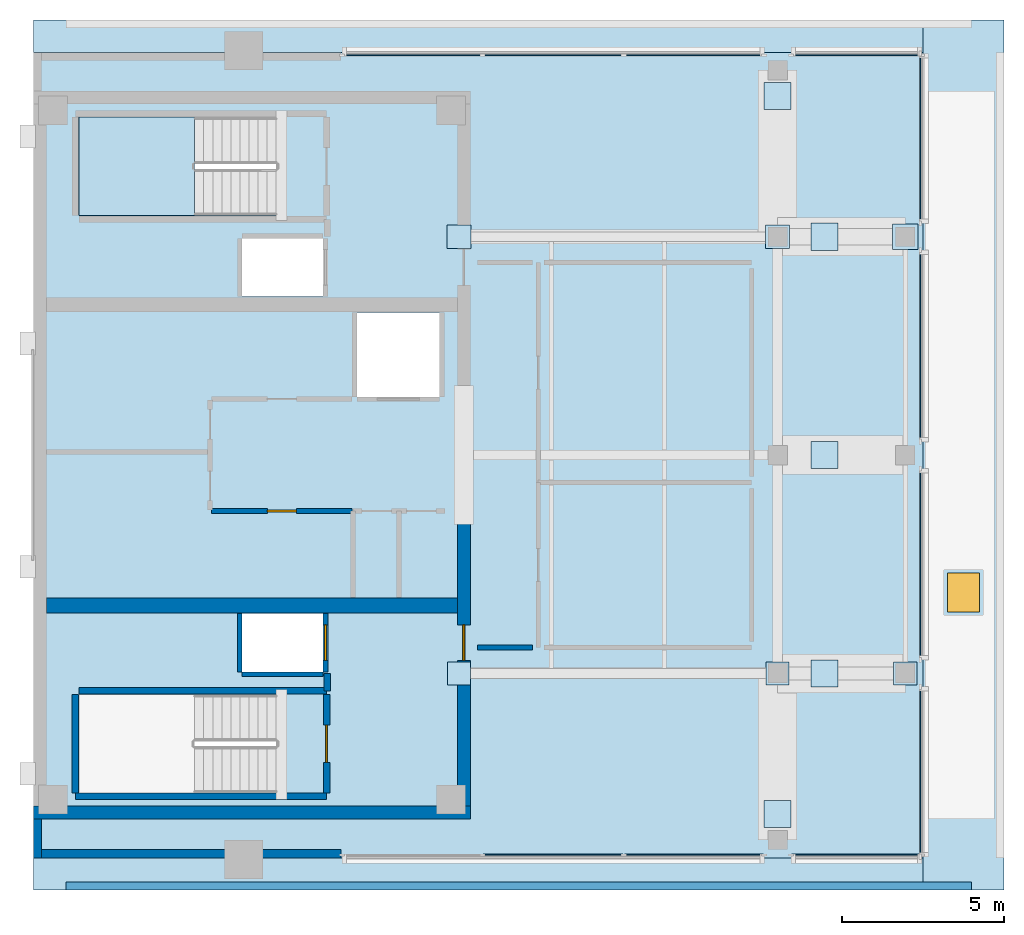
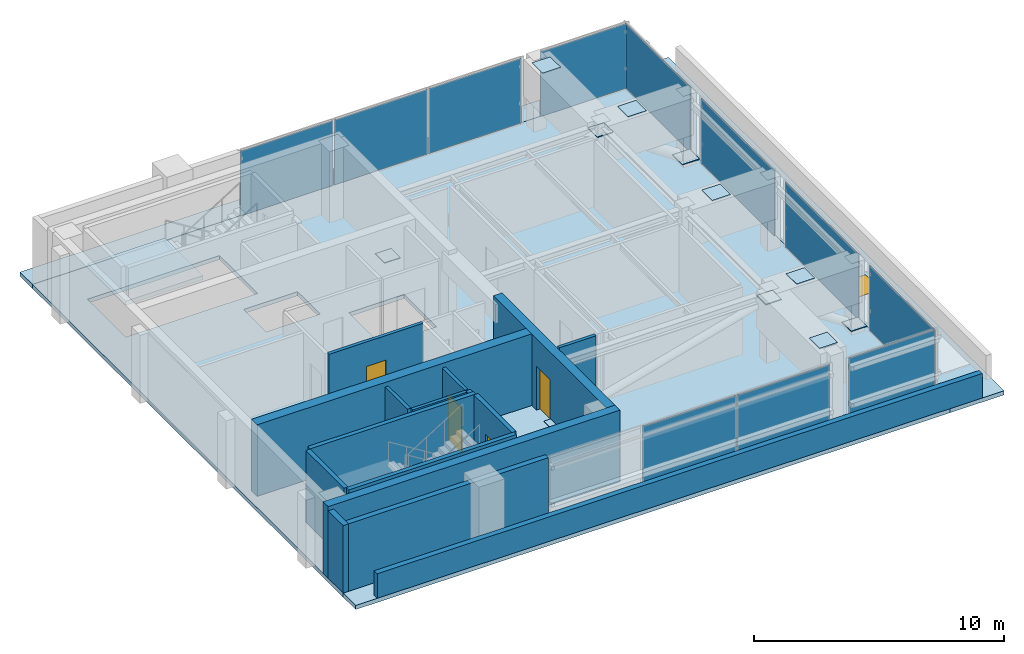
# One storey, part 4 of 9: 22 plates, 16 walls, 5 slabs, 4 doors, 1 window, 5 openings, 9 elements without a shape of their own.
"""IFC4 building model written with IfcOpenShell, lengths in metres."""

from ifc_helpers import new_model, si_unit, direction, frame, frame_2d, origin, origin_2d, place, context, subcontext, project, spatial, polyline, rectangle, outline, extrude, material, layer, layer_set, type_object, element, fill, aggregate, save


model = new_model("IFC4")

# Units and contexts
model_context = context("Model", 3, precision=1e-05, world=origin(), true_north=direction((0.0, 1.0)))
body_context = subcontext(model_context, "Body", "Model", "MODEL_VIEW")
ifc_project = project(units=[si_unit("LENGTHUNIT", "METRE"), si_unit("AREAUNIT", "SQUARE_METRE"), si_unit("VOLUMEUNIT", "CUBIC_METRE"), si_unit("PLANEANGLEUNIT", "RADIAN"), si_unit("MASSUNIT", "GRAM", prefix="KILO")], contexts=[model_context])

# Site, building, storey
site_placement = place(None, origin())
site = spatial("IfcSite", under=ifc_project, at=site_placement, CompositionType="ELEMENT")
building_placement = place(site_placement, origin())
building = spatial("IfcBuilding", under=site, at=building_placement, Name="Kinhvarn Gate Tower", CompositionType="ELEMENT")
storey_placement = place(building_placement, frame((0.0, 0.0, 318.050048828125)))
storey = spatial("IfcBuildingStorey", under=building, at=storey_placement, Name="L84", CompositionType="ELEMENT", Elevation=318.050048828125)

# Curtain wall, plates
ifc_material_1 = material(Name="Anodised aluminium AW-6063", Category="aluminium")
ifc_layer_1 = layer(ifc_material_1, 0.199951171875)
ifc_layer_set_1 = layer_set([ifc_layer_1], Name="Anodised aluminium AW-6063")
curtain_wall_type = type_object("IfcCurtainWallType", Name="CW-SYS-6", PredefinedType="NOTDEFINED", material=ifc_layer_set_1)
curtain_wall_1_placement = place(storey_placement, origin())
curtain_wall_1 = element("IfcCurtainWall", 1, at=curtain_wall_1_placement, inside=storey, type_object=curtain_wall_type, Name="Curtain Wall CW6 (L84)", PredefinedType="NOTDEFINED")
ifc_material_2 = material(Name="Clear low-e double glazing", Category="glass")
ifc_layer_2 = layer(ifc_material_2, 0.031982421875)
ifc_layer_set_2 = layer_set([ifc_layer_2], Name="Clear low-e double glazing")
plate_type_1 = type_object("IfcPlateType", Name="CW-PNL-VIS", PredefinedType="CURTAIN_PANEL", material=ifc_layer_set_2)
plate_1_placement = place(storey_placement, frame((20.56005859375, 12.889892578125, 0.06494140625), z_axis=(0.0, 0.0, 1.0), x_axis=(1.0, 0.0, 0.0)))
plate_1 = element("IfcPlate", 2, at=plate_1_placement, type_object=plate_type_1, Name="CW6 panel 2.1", PredefinedType="CURTAIN_PANEL", context=body_context, shape_type="SweptSolid", body=[
    extrude(rectangle(XDim=4.308349609375, YDim=0.031982421875, at=origin_2d()), origin(), (0.0, 0.0, 1.0), 3.169921875),
])
plate_2_placement = place(storey_placement, frame((24.9169921875, 12.889892578125, 0.06494140625), z_axis=(0.0, 0.0, 1.0), x_axis=(1.0, 0.0, 0.0)))
plate_2 = element("IfcPlate", 3, at=plate_2_placement, type_object=plate_type_1, Name="CW6 panel 3.1", PredefinedType="CURTAIN_PANEL", context=body_context, shape_type="SweptSolid", body=[
    extrude(rectangle(XDim=4.27587890625, YDim=0.031982421875, at=origin_2d()), origin(), (0.0, 0.0, 1.0), 3.169921875),
])
aggregate(curtain_wall_1, [plate_1, plate_2])

# Curtain wall, plate
curtain_wall_2_placement = place(storey_placement, origin())
curtain_wall_2 = element("IfcCurtainWall", 4, at=curtain_wall_2_placement, inside=storey, type_object=curtain_wall_type, Name="Curtain Wall CW6 (L84)", PredefinedType="NOTDEFINED")
plate_3_placement = place(storey_placement, frame((29.93994140625, 12.889892578125, 0.06494140625), z_axis=(0.0, 0.0, 1.0), x_axis=(1.0, 0.0, 0.0)))
plate_3 = element("IfcPlate", 5, at=plate_3_placement, type_object=plate_type_1, Name="CW6 panel 1.1", PredefinedType="CURTAIN_PANEL", context=body_context, shape_type="SweptSolid", body=[
    extrude(rectangle(XDim=3.989990234375, YDim=0.031982421875, at=origin_2d()), origin(), (0.0, 0.0, 1.0), 3.169921875),
])
aggregate(curtain_wall_2, [plate_3])

curtain_wall_3_placement = place(storey_placement, origin())
curtain_wall_3 = element("IfcCurtainWall", 6, at=curtain_wall_3_placement, inside=storey, type_object=curtain_wall_type, Name="Curtain Wall CW6 (L84)", PredefinedType="NOTDEFINED")
plate_4_placement = place(storey_placement, frame((29.93994140625, 37.610107421875, 0.06494140625), z_axis=(0.0, 0.0, 1.0), x_axis=(-1.0, 0.0, 0.0)))
plate_4 = element("IfcPlate", 7, at=plate_4_placement, type_object=plate_type_1, Name="CW6 panel 1.1", PredefinedType="CURTAIN_PANEL", context=body_context, shape_type="SweptSolid", body=[
    extrude(rectangle(XDim=3.989990234375, YDim=0.031982421875, at=origin_2d()), origin(), (0.0, 0.0, 1.0), 3.169921875),
])
aggregate(curtain_wall_3, [plate_4])

# Curtain wall, plates
curtain_wall_4_placement = place(storey_placement, origin())
curtain_wall_4 = element("IfcCurtainWall", 8, at=curtain_wall_4_placement, inside=storey, type_object=curtain_wall_type, Name="Curtain Wall CW6 (L84)", PredefinedType="NOTDEFINED")
plate_5_placement = place(storey_placement, frame((24.9169921875, 37.610107421875, 0.06494140625), z_axis=(0.0, 0.0, 1.0), x_axis=(-1.0, 0.0, 0.0)))
plate_5 = element("IfcPlate", 9, at=plate_5_placement, type_object=plate_type_1, Name="CW6 panel 1.1", PredefinedType="CURTAIN_PANEL", context=body_context, shape_type="SweptSolid", body=[
    extrude(rectangle(XDim=4.27587890625, YDim=0.031982421875, at=origin_2d()), origin(), (0.0, 0.0, 1.0), 3.169921875),
])
plate_6_placement = place(storey_placement, frame((20.56005859375, 37.610107421875, 0.06494140625), z_axis=(0.0, 0.0, 1.0), x_axis=(-1.0, 0.0, 0.0)))
plate_6 = element("IfcPlate", 10, at=plate_6_placement, type_object=plate_type_1, Name="CW6 panel 2.1", PredefinedType="CURTAIN_PANEL", context=body_context, shape_type="SweptSolid", body=[
    extrude(rectangle(XDim=4.308349609375, YDim=0.031982421875, at=origin_2d()), origin(), (0.0, 0.0, 1.0), 3.169921875),
])
plate_7_placement = place(storey_placement, frame((16.202880859375, 37.610107421875, 0.06494140625), z_axis=(0.0, 0.0, 1.0), x_axis=(-1.0, 0.0, 0.0)))
plate_7 = element("IfcPlate", 11, at=plate_7_placement, type_object=plate_type_1, Name="CW6 panel 3.1", PredefinedType="CURTAIN_PANEL", context=body_context, shape_type="SweptSolid", body=[
    extrude(rectangle(XDim=4.27587890625, YDim=0.031982421875, at=origin_2d()), origin(), (0.0, 0.0, 1.0), 3.169921875),
])
aggregate(curtain_wall_4, [plate_5, plate_6, plate_7])

# Curtain wall, plate
curtain_wall_5_placement = place(storey_placement, origin())
curtain_wall_5 = element("IfcCurtainWall", 12, at=curtain_wall_5_placement, inside=storey, type_object=curtain_wall_type, Name="Curtain Wall CW6 (L84)", PredefinedType="NOTDEFINED")
plate_8_placement = place(storey_placement, frame((31.909912109375, 15.4599609375, 0.06494140625), z_axis=(0.0, 0.0, 1.0), x_axis=(0.0, 1.0, 0.0)))
plate_8 = element("IfcPlate", 13, at=plate_8_placement, type_object=plate_type_1, Name="CW6 panel 1.1", PredefinedType="CURTAIN_PANEL", context=body_context, shape_type="SweptSolid", body=[
    extrude(rectangle(XDim=5.18994140625, YDim=0.031982421875, at=origin_2d()), origin(), (0.0, 0.0, 1.0), 3.169921875),
])
aggregate(curtain_wall_5, [plate_8])

curtain_wall_6_placement = place(storey_placement, origin())
curtain_wall_6 = element("IfcCurtainWall", 14, at=curtain_wall_6_placement, inside=storey, type_object=curtain_wall_type, Name="Curtain Wall CW6 (L84)", PredefinedType="NOTDEFINED")
plate_9_placement = place(storey_placement, frame((31.909912109375, 21.875, 0.06494140625), z_axis=(0.0, 0.0, 1.0), x_axis=(0.0, 1.0, 0.0)))
plate_9 = element("IfcPlate", 15, at=plate_9_placement, type_object=plate_type_1, Name="CW6 panel 1.1", PredefinedType="CURTAIN_PANEL", context=body_context, shape_type="SweptSolid", body=[
    extrude(rectangle(XDim=5.860107421875, YDim=0.031982421875, at=origin_2d()), origin(), (0.0, 0.0, 1.0), 3.169921875),
])
aggregate(curtain_wall_6, [plate_9])

curtain_wall_7_placement = place(storey_placement, origin())
curtain_wall_7 = element("IfcCurtainWall", 16, at=curtain_wall_7_placement, inside=storey, type_object=curtain_wall_type, Name="Curtain Wall CW6 (L84)", PredefinedType="NOTDEFINED")
plate_10_placement = place(storey_placement, frame((31.909912109375, 28.625, 0.06494140625), z_axis=(0.0, 0.0, 1.0), x_axis=(0.0, 1.0, 0.0)))
plate_10 = element("IfcPlate", 17, at=plate_10_placement, type_object=plate_type_1, Name="CW6 panel 1.1", PredefinedType="CURTAIN_PANEL", context=body_context, shape_type="SweptSolid", body=[
    extrude(rectangle(XDim=5.860107421875, YDim=0.031982421875, at=origin_2d()), origin(), (0.0, 0.0, 1.0), 3.169921875),
])
aggregate(curtain_wall_7, [plate_10])

curtain_wall_8_placement = place(storey_placement, origin())
curtain_wall_8 = element("IfcCurtainWall", 18, at=curtain_wall_8_placement, inside=storey, type_object=curtain_wall_type, Name="Curtain Wall CW6 (L84)", PredefinedType="NOTDEFINED")
plate_11_placement = place(storey_placement, frame((31.909912109375, 35.0400390625, 0.06494140625), z_axis=(0.0, 0.0, 1.0), x_axis=(0.0, 1.0, 0.0)))
plate_11 = element("IfcPlate", 19, at=plate_11_placement, type_object=plate_type_1, Name="CW6 panel 1.1", PredefinedType="CURTAIN_PANEL", context=body_context, shape_type="SweptSolid", body=[
    extrude(rectangle(XDim=5.18994140625, YDim=0.031982421875, at=origin_2d()), origin(), (0.0, 0.0, 1.0), 3.169921875),
])
aggregate(curtain_wall_8, [plate_11])

# Plates
ifc_material_3 = material(Name="Steel S355", Category="steel")
ifc_layer_3 = layer(ifc_material_3, 0.02392578125)
ifc_layer_set_3 = layer_set([ifc_layer_3], Name="Steel S355")
plate_type_2 = type_object("IfcPlateType", Name="PLT-NODE-CB1", PredefinedType="USERDEFINED", material=ifc_layer_set_3)
plate_12_placement = place(storey_placement, frame((0.0, 0.0, 3.47802734375)))
element("IfcPlate", 20, at=plate_12_placement, inside=storey, type_object=plate_type_2, Name="Structural Node Cap Plate CB1", ObjectType="GUSSET_PLATE", PredefinedType="USERDEFINED", context=body_context, shape_type="SweptSolid", body=[
    extrude(outline(polyline([(28.530029296875, 18.080078125), (29.3701171875, 18.080078125), (29.3701171875, 18.919921875), (28.530029296875, 18.919921875), (28.530029296875, 18.080078125)])), origin(), (0.0, 0.0, 1.0), 0.02392578125),
])
plate_13_placement = place(storey_placement, frame((0.0, 0.0, 3.47802734375)))
element("IfcPlate", 21, at=plate_13_placement, inside=storey, type_object=plate_type_2, Name="Structural Node Cap Plate CB1", ObjectType="GUSSET_PLATE", PredefinedType="USERDEFINED", context=body_context, shape_type="SweptSolid", body=[
    extrude(outline(polyline([(28.530029296875, 24.830078125), (29.3701171875, 24.830078125), (29.3701171875, 25.669921875), (28.530029296875, 25.669921875), (28.530029296875, 24.830078125)])), origin(), (0.0, 0.0, 1.0), 0.02392578125),
])
plate_14_placement = place(storey_placement, frame((0.0, 0.0, 3.47802734375)))
element("IfcPlate", 22, at=plate_14_placement, inside=storey, type_object=plate_type_2, Name="Structural Node Cap Plate CB1", ObjectType="GUSSET_PLATE", PredefinedType="USERDEFINED", context=body_context, shape_type="SweptSolid", body=[
    extrude(outline(polyline([(28.530029296875, 31.580078125), (29.3701171875, 31.580078125), (29.3701171875, 32.419921875), (28.530029296875, 32.419921875), (28.530029296875, 31.580078125)])), origin(), (0.0, 0.0, 1.0), 0.02392578125),
])
plate_15_placement = place(storey_placement, frame((0.0, 0.0, 3.47802734375)))
element("IfcPlate", 23, at=plate_15_placement, inside=storey, type_object=plate_type_2, Name="Structural Node Cap Plate CB1", ObjectType="GUSSET_PLATE", PredefinedType="USERDEFINED", context=body_context, shape_type="SweptSolid", body=[
    extrude(outline(polyline([(27.080078125, 13.72998046875), (27.919921875, 13.72998046875), (27.919921875, 14.570068359375), (27.080078125, 14.570068359375), (27.080078125, 13.72998046875)])), origin(), (0.0, 0.0, 1.0), 0.02392578125),
])
plate_16_placement = place(storey_placement, frame((0.0, 0.0, 3.47802734375)))
element("IfcPlate", 24, at=plate_16_placement, inside=storey, type_object=plate_type_2, Name="Structural Node Cap Plate CB1", ObjectType="GUSSET_PLATE", PredefinedType="USERDEFINED", context=body_context, shape_type="SweptSolid", body=[
    extrude(outline(polyline([(27.080078125, 35.929931640625), (27.919921875, 35.929931640625), (27.919921875, 36.77001953125), (27.080078125, 36.77001953125), (27.080078125, 35.929931640625)])), origin(), (0.0, 0.0, 1.0), 0.02392578125),
])
plate_17_placement = place(storey_placement, frame((0.0, 0.0, 0.238037109375)))
element("IfcPlate", 25, at=plate_17_placement, inside=storey, type_object=plate_type_2, Name="Structural Node Cap Plate CB1", ObjectType="GUSSET_PLATE", PredefinedType="USERDEFINED", context=body_context, shape_type="SweptSolid", body=[
    extrude(outline(polyline([(17.2900390625, 18.139892578125), (18.010009765625, 18.139892578125), (18.010009765625, 18.860107421875), (17.2900390625, 18.860107421875), (17.2900390625, 18.139892578125)])), origin(), (0.0, 0.0, 1.0), 0.02392578125),
])
plate_18_placement = place(storey_placement, frame((0.0, 0.0, 0.238037109375)))
element("IfcPlate", 26, at=plate_18_placement, inside=storey, type_object=plate_type_2, Name="Structural Node Cap Plate CB1", ObjectType="GUSSET_PLATE", PredefinedType="USERDEFINED", context=body_context, shape_type="SweptSolid", body=[
    extrude(outline(polyline([(17.281494140625, 31.631591796875), (18.0185546875, 31.631591796875), (18.0185546875, 32.368408203125), (17.281494140625, 32.368408203125), (17.281494140625, 31.631591796875)])), origin(), (0.0, 0.0, 1.0), 0.02392578125),
])
ifc_layer_4 = layer(ifc_material_3, 0.033935546875)
ifc_layer_set_4 = layer_set([ifc_layer_4], Name="Steel S355")
plate_type_3 = type_object("IfcPlateType", Name="PLT-NODE-KN4", PredefinedType="USERDEFINED", material=ifc_layer_set_4)
plate_19_placement = place(storey_placement, frame((0.0, 0.0, 2.932861328125)))
element("IfcPlate", 27, at=plate_19_placement, inside=storey, type_object=plate_type_3, Name="Structural Node Cap Plate KN4", ObjectType="GUSSET_PLATE", PredefinedType="USERDEFINED", context=body_context, shape_type="SweptSolid", body=[
    extrude(outline(polyline([(27.139892578125, 18.139892578125), (27.860107421875, 18.139892578125), (27.860107421875, 18.860107421875), (27.139892578125, 18.860107421875), (27.139892578125, 18.139892578125)])), origin(), (0.0, 0.0, 1.0), 0.0341796875),
])
plate_20_placement = place(storey_placement, frame((0.0, 0.0, 0.23291015625)))
element("IfcPlate", 28, at=plate_20_placement, inside=storey, type_object=plate_type_3, Name="Structural Node Cap Plate KN4", ObjectType="GUSSET_PLATE", PredefinedType="USERDEFINED", context=body_context, shape_type="SweptSolid", body=[
    extrude(outline(polyline([(31.090087890625, 18.139892578125), (31.81005859375, 18.139892578125), (31.81005859375, 18.860107421875), (31.090087890625, 18.860107421875), (31.090087890625, 18.139892578125)])), origin(), (0.0, 0.0, 1.0), 0.033935546875),
])
plate_21_placement = place(storey_placement, frame((0.0, 0.0, 2.932861328125)))
element("IfcPlate", 29, at=plate_21_placement, inside=storey, type_object=plate_type_3, Name="Structural Node Cap Plate KN4", ObjectType="GUSSET_PLATE", PredefinedType="USERDEFINED", context=body_context, shape_type="SweptSolid", body=[
    extrude(outline(polyline([(27.131591796875, 31.631591796875), (27.868408203125, 31.631591796875), (27.868408203125, 32.368408203125), (27.131591796875, 32.368408203125), (27.131591796875, 31.631591796875)])), origin(), (0.0, 0.0, 1.0), 0.0341796875),
])
plate_22_placement = place(storey_placement, frame((0.0, 0.0, 0.23291015625)))
element("IfcPlate", 30, at=plate_22_placement, inside=storey, type_object=plate_type_3, Name="Structural Node Cap Plate KN4", ObjectType="GUSSET_PLATE", PredefinedType="USERDEFINED", context=body_context, shape_type="SweptSolid", body=[
    extrude(outline(polyline([(31.055908203125, 31.60595703125), (31.843994140625, 31.60595703125), (31.843994140625, 32.39404296875), (31.055908203125, 32.39404296875), (31.055908203125, 31.60595703125)])), origin(), (0.0, 0.0, 1.0), 0.033935546875),
])

# Slab
ifc_material_4 = material(Name="Concrete C40/50", Category="concrete")
ifc_layer_5 = layer(ifc_material_4, 0.199951171875)
ifc_layer_set_5 = layer_set([ifc_layer_5], Name="Concrete C40/50")
slab_type_1 = type_object("IfcSlabType", Name="SLB-FLR-200", PredefinedType="FLOOR", material=ifc_layer_set_5)
slab_1_placement = place(storey_placement, frame((0.0, 0.0, -0.199951171875)))
element("IfcSlab", 31, at=slab_1_placement, inside=storey, type_object=slab_type_1, Name="Suspended Floor Slab L84", PredefinedType="FLOOR", context=body_context, shape_type="SweptSolid", body=[
    extrude(outline(polyline([(4.5, 12.800048828125), (32.0, 12.800048828125), (32.0, 37.699951171875), (4.5, 37.699951171875), (4.5, 12.800048828125)]), holes=[polyline([(5.89990234375, 14.800048828125), (12.0, 14.800048828125), (12.0, 17.85009765625), (5.89990234375, 17.85009765625), (5.89990234375, 14.800048828125)]), polyline([(5.89990234375, 32.64990234375), (12.0, 32.64990234375), (12.0, 35.699951171875), (5.89990234375, 35.699951171875), (5.89990234375, 32.64990234375)]), polyline([(14.5, 27.050048828125), (17.050048828125, 27.050048828125), (17.050048828125, 29.64990234375), (14.5, 29.64990234375), (14.5, 27.050048828125)]), polyline([(10.949951171875, 18.550048828125), (13.449951171875, 18.550048828125), (13.449951171875, 20.35009765625), (10.949951171875, 20.35009765625), (10.949951171875, 18.550048828125)]), polyline([(10.949951171875, 30.14990234375), (13.449951171875, 30.14990234375), (13.449951171875, 31.949951171875), (10.949951171875, 31.949951171875), (10.949951171875, 30.14990234375)])]), origin(), (0.0, 0.0, 1.0), 0.199951171875),
])

# Slab, opening, window
ifc_material_5 = material(Name="Concrete C50/60", Category="concrete")
ifc_layer_6 = layer(ifc_material_5, 0.199951171875)
ifc_layer_set_6 = layer_set([ifc_layer_6], Name="Concrete C50/60")
slab_type_2 = type_object("IfcSlabType", Name="SLB-ROOF-200", PredefinedType="ROOF", material=ifc_layer_set_6)
slab_2_placement = place(storey_placement, frame((0.0, 0.0, -0.199951171875)))
slab_2 = element("IfcSlab", 32, at=slab_2_placement, inside=storey, type_object=slab_type_2, Name="Stepped Crown Ledge Roof Slab L84-E", PredefinedType="ROOF", context=body_context, shape_type="SweptSolid", body=[
    extrude(outline(polyline([(32.0, 11.800048828125), (32.0, 38.699951171875), (34.5, 38.699951171875), (34.5, 11.800048828125), (32.0, 11.800048828125)])), origin(), (0.0, 0.0, 1.0), 0.199951171875),
])
opening_1_placement = place(slab_2_placement, frame((33.25, 21.0, -0.010009765625)))
opening_1 = element("IfcOpeningElement", 33, at=opening_1_placement, cuts=slab_2, Name="Opening RH-01", PredefinedType="OPENING", context=body_context, shape_type="SweptSolid", body=[
    extrude(rectangle(XDim=1.0, YDim=1.199951171875, at=origin_2d()), origin(), (0.0, 0.0, 1.0), 0.219970703125),
])
window_type = type_object("IfcWindowType", Name="WIN-SKL-1200", PartitioningType="SINGLE_PANEL", PredefinedType="SKYLIGHT", material=ifc_material_2)
window_placement = place(slab_2_placement, frame((33.25, 21.0, 0.14990234375)))
window = element("IfcWindow", 34, at=window_placement, inside=storey, type_object=window_type, Name="Crown Ledge Maintenance Skylight Hatch RH-01 (L84)", OverallHeight=1.199951171875, OverallWidth=1.0, PartitioningType="SINGLE_PANEL", PredefinedType="SKYLIGHT", context=body_context, shape_type="SweptSolid", body=[
    extrude(rectangle(XDim=1.0, YDim=1.199951171875, at=origin_2d()), origin(), (0.0, 0.0, 1.0), 0.050048828125),
])
fill(opening_1, window)

# Slabs
slab_3_placement = place(storey_placement, frame((0.0, 0.0, -0.199951171875)))
element("IfcSlab", 35, at=slab_3_placement, inside=storey, type_object=slab_type_2, Name="Stepped Crown Ledge Roof Slab L84-S", PredefinedType="ROOF", context=body_context, shape_type="SweptSolid", body=[
    extrude(outline(polyline([(4.5, 11.800048828125), (4.5, 12.800048828125), (32.0, 12.800048828125), (32.0, 11.800048828125), (4.5, 11.800048828125)])), origin(), (0.0, 0.0, 1.0), 0.199951171875),
])
slab_4_placement = place(storey_placement, frame((0.0, 0.0, -0.199951171875)))
element("IfcSlab", 36, at=slab_4_placement, inside=storey, type_object=slab_type_2, Name="Stepped Crown Ledge Roof Slab L84-N", PredefinedType="ROOF", context=body_context, shape_type="SweptSolid", body=[
    extrude(outline(polyline([(32.0, 38.699951171875), (32.0, 37.699951171875), (4.5, 37.699951171875), (4.5, 38.699951171875), (32.0, 38.699951171875)])), origin(), (0.0, 0.0, 1.0), 0.199951171875),
])

# Stair, slab
stair_type = type_object("IfcStairType", Name="STR-DLG-175", PredefinedType="HALF_TURN_STAIR", material=ifc_material_4)
stair_placement = place(storey_placement, origin())
stair = element("IfcStair", 37, at=stair_placement, inside=storey, type_object=stair_type, Name="L84 Core Smokeproof Exit Stair ST2", PredefinedType="HALF_TURN_STAIR")
ifc_layer_7 = layer(ifc_material_4, 0.199951171875)
ifc_layer_set_7 = layer_set([ifc_layer_7], Name="Concrete C40/50")
slab_type_3 = type_object("IfcSlabType", Name="SLB-ST-LND", PredefinedType="LANDING", material=ifc_layer_set_7)
slab_5_placement = place(storey_placement, frame((0.0, 0.0, 1.550048828125)))
slab_5 = element("IfcSlab", 38, at=slab_5_placement, type_object=slab_type_3, Name="ST2 landing 1", PredefinedType="LANDING", context=body_context, shape_type="SweptSolid", body=[
    extrude(outline(polyline([(9.47998046875, 35.699951171875), (5.89990234375, 35.699951171875), (5.89990234375, 32.64990234375), (9.47998046875, 32.64990234375), (9.47998046875, 35.699951171875)])), origin(), (0.0, 0.0, 1.0), 0.199951171875),
])
aggregate(stair, [slab_5])

# Wall
ifc_layer_8 = layer(ifc_material_5, 0.39990234375)
ifc_layer_set_8 = layer_set([ifc_layer_8], Name="Concrete C50/60")
wall_type_1 = type_object("IfcWallType", Name="WL-CORE-400", PredefinedType="SHEAR", material=ifc_layer_set_8)
wall_1_placement = place(storey_placement, frame((4.5, 14.199951171875, 0.0), z_axis=(0.0, 0.0, 1.0), x_axis=(1.0, 0.0, 0.0)))
element("IfcWall", 39, at=wall_1_placement, inside=storey, type_object=wall_type_1, Name="Core South Shear Wall L84 400 mm", PredefinedType="SHEAR", context=body_context, shape_type="SweptSolid", body=[
    extrude(rectangle(XDim=13.5, YDim=0.39990234375, at=frame_2d((6.75, 0.0))), origin(), (0.0, 0.0, 1.0), 3.5),
])

# Wall, opening, door
wall_2_placement = place(storey_placement, frame((17.800048828125, 14.39990234375, 0.0), z_axis=(0.0, 0.0, 1.0), x_axis=(0.0, 1.0, 0.0)))
wall_2 = element("IfcWall", 40, at=wall_2_placement, inside=storey, type_object=wall_type_1, Name="Core East-South Shear Pier L84 400 mm", PredefinedType="SHEAR", context=body_context, shape_type="SweptSolid", body=[
    extrude(rectangle(XDim=9.050048828125, YDim=0.39990234375, at=frame_2d((4.52490234375, 0.0))), origin(), (0.0, 0.0, 1.0), 3.5),
])
opening_2_placement = place(wall_2_placement, frame((4.5, 0.0, 0.0)))
opening_2 = element("IfcOpeningElement", 41, at=opening_2_placement, cuts=wall_2, Name="Opening FD-02", PredefinedType="OPENING", context=body_context, shape_type="SweptSolid", body=[
    extrude(rectangle(XDim=1.10009765625, YDim=2.14990234375, at=frame_2d((0.550048828125, 1.074951171875))), frame((0.0, 0.2099609375, 0.0), z_axis=(0.0, -1.0, 0.0), x_axis=(1.0, 0.0, 0.0)), (0.0, 0.0, 1.0), 0.419921875),
])
door_type_1 = type_object("IfcDoorType", Name="DR-FD-1100", OperationType="NOTDEFINED", PredefinedType="DOOR", material=ifc_material_1)
door_1_placement = place(opening_2_placement, origin())
door_1 = element("IfcDoor", 42, at=door_1_placement, inside=storey, type_object=door_type_1, Name="Firefighting Lobby Core Door (L84)", OperationType="SINGLE_SWING_RIGHT", OverallHeight=2.14990234375, OverallWidth=1.10009765625, PredefinedType="DOOR", context=body_context, shape_type="SweptSolid", body=[
    extrude(rectangle(XDim=1.10009765625, YDim=2.14990234375, at=frame_2d((0.550048828125, 1.074951171875))), frame((0.0, 0.02490234375, 0.0), z_axis=(0.0, -1.0, 0.0), x_axis=(1.0, 0.0, 0.0)), (0.0, 0.0, 1.0), 0.050048828125),
])
fill(opening_2, door_1)

# Walls
ifc_layer_9 = layer(ifc_material_5, 0.449951171875)
ifc_layer_set_9 = layer_set([ifc_layer_9], Name="Concrete C50/60")
wall_type_2 = type_object("IfcWallType", Name="WL-CORE-450", PredefinedType="SHEAR", material=ifc_layer_set_9)
wall_3_placement = place(storey_placement, frame((4.89990234375, 20.60009765625, 0.0), z_axis=(0.0, 0.0, 1.0), x_axis=(1.0, 0.0, 0.0)))
element("IfcWall", 43, at=wall_3_placement, inside=storey, type_object=wall_type_2, Name="Core South Spine Shear Wall L84 450 mm", PredefinedType="SHEAR", context=body_context, shape_type="SweptSolid", body=[
    extrude(rectangle(XDim=12.7001953125, YDim=0.449951171875, at=frame_2d((6.35009765625, 0.0))), origin(), (0.0, 0.0, 1.0), 3.5),
])
ifc_material_6 = material(Name="Fired architectural terracotta", Category="masonry")
ifc_layer_10 = layer(ifc_material_6, 0.25)
ifc_layer_set_10 = layer_set([ifc_layer_10], Name="Fired architectural terracotta")
wall_type_3 = type_object("IfcWallType", Name="WL-EXT-250", PredefinedType="SOLIDWALL", material=ifc_layer_set_10)
wall_4_placement = place(storey_placement, frame((4.625, 14.0, 0.0), z_axis=(0.0, 0.0, 1.0), x_axis=(0.0, -1.0, 0.0)))
element("IfcWall", 44, at=wall_4_placement, inside=storey, type_object=wall_type_3, Name="Exterior Solidwall Wall EW-250 (L84 West-South)", PredefinedType="SOLIDWALL", context=body_context, shape_type="SweptSolid", body=[
    extrude(rectangle(XDim=1.199951171875, YDim=0.25, at=frame_2d((0.60009765625, 0.0))), origin(), (0.0, 0.0, 1.0), 3.300048828125),
])
wall_5_placement = place(storey_placement, frame((4.5, 12.925048828125, 0.0), z_axis=(0.0, 0.0, 1.0), x_axis=(1.0, 0.0, 0.0)))
element("IfcWall", 45, at=wall_5_placement, inside=storey, type_object=wall_type_3, Name="Exterior Solidwall Wall EW-250 (L84 Crown-Core-S)", PredefinedType="SOLIDWALL", context=body_context, shape_type="SweptSolid", body=[
    extrude(rectangle(XDim=9.5, YDim=0.25, at=frame_2d((4.75, 0.0))), origin(), (0.0, 0.0, 1.0), 3.300048828125),
])
ifc_layer_11 = layer(ifc_material_6, 0.25)
ifc_layer_set_11 = layer_set([ifc_layer_11], Name="Fired architectural terracotta")
wall_type_4 = type_object("IfcWallType", Name="WL-PAR-250", PredefinedType="PARAPET", material=ifc_layer_set_11)
wall_6_placement = place(storey_placement, frame((5.5, 11.925048828125, 0.0), z_axis=(0.0, 0.0, 1.0), x_axis=(1.0, 0.0, 0.0)))
element("IfcWall", 46, at=wall_6_placement, inside=storey, type_object=wall_type_4, Name="Exterior Parapet Wall PRW-250 (L84 Crown-Step-Parapet-S)", PredefinedType="PARAPET", context=body_context, shape_type="SweptSolid", body=[
    extrude(rectangle(XDim=28.0, YDim=0.25, at=frame_2d((14.0, 0.0))), origin(), (0.0, 0.0, 1.0), 1.199951171875),
])

# Wall, opening, door
ifc_material_7 = material(Name="Gypsum acoustic partition board")
ifc_layer_12 = layer(ifc_material_7, 0.14990234375)
ifc_layer_set_12 = layer_set([ifc_layer_12], Name="Gypsum acoustic partition board")
wall_type_5 = type_object("IfcWallType", Name="WL-PRT-150F", PredefinedType="PARTITIONING", material=ifc_layer_set_12)
wall_7_placement = place(storey_placement, frame((10.0, 23.52001953125, 0.0), z_axis=(0.0, 0.0, 1.0), x_axis=(1.0, 0.0, 0.0)))
wall_7 = element("IfcWall", 47, at=wall_7_placement, inside=storey, type_object=wall_type_5, Name="Interior Partition PW-150F (L84)", PredefinedType="PARTITIONING", context=body_context, shape_type="SweptSolid", body=[
    extrude(rectangle(XDim=4.35009765625, YDim=0.14990234375, at=frame_2d((2.175048828125, 0.0))), origin(), (0.0, 0.0, 1.0), 3.300048828125),
])
opening_3_placement = place(wall_7_placement, frame((1.72509765625, 0.0, 0.0)))
opening_3 = element("IfcOpeningElement", 48, at=opening_3_placement, cuts=wall_7, Name="Opening FD-04", PredefinedType="OPENING", context=body_context, shape_type="SweptSolid", body=[
    extrude(rectangle(XDim=0.89990234375, YDim=2.10009765625, at=frame_2d((0.449951171875, 1.050048828125))), frame((0.0, 0.0849609375, 0.0), z_axis=(0.0, -1.0, 0.0), x_axis=(1.0, 0.0, 0.0)), (0.0, 0.0, 1.0), 0.169921875),
])
door_type_2 = type_object("IfcDoorType", Name="DR-FD-900", OperationType="NOTDEFINED", PredefinedType="DOOR", material=ifc_material_1)
door_2_placement = place(opening_3_placement, origin())
door_2 = element("IfcDoor", 49, at=door_2_placement, inside=storey, type_object=door_type_2, Name="Rated Riser & Service Closet Fire Door 900x2100 mm (L84)", OperationType="SINGLE_SWING_LEFT", OverallHeight=2.10009765625, OverallWidth=0.89990234375, PredefinedType="DOOR", context=body_context, shape_type="SweptSolid", body=[
    extrude(rectangle(XDim=0.89990234375, YDim=2.10009765625, at=frame_2d((0.449951171875, 1.050048828125))), frame((0.0, 0.02490234375, 0.0), z_axis=(0.0, -1.0, 0.0), x_axis=(1.0, 0.0, 0.0)), (0.0, 0.0, 1.0), 0.050048828125),
])
fill(opening_3, door_2)

# Walls
wall_8_placement = place(storey_placement, frame((19.919921875, 19.300048828125, 0.0), z_axis=(0.0, 0.0, 1.0), x_axis=(-1.0, 0.0, 0.0)))
element("IfcWall", 50, at=wall_8_placement, inside=storey, type_object=wall_type_5, Name="Interior Partition PW-150F (L84)", PredefinedType="PARTITIONING", context=body_context, shape_type="SweptSolid", body=[
    extrude(rectangle(XDim=1.699951171875, YDim=0.14990234375, at=frame_2d((0.85009765625, 0.0))), origin(), (0.0, 0.0, 1.0), 3.300048828125),
])
ifc_layer_13 = layer(ifc_material_7, 0.199951171875)
ifc_layer_set_13 = layer_set([ifc_layer_13], Name="Gypsum acoustic partition board")
wall_type_6 = type_object("IfcWallType", Name="WL-PRT-200", PredefinedType="PARTITIONING", material=ifc_layer_set_13)
wall_9_placement = place(storey_placement, frame((13.580078125, 17.9599609375, 0.0), z_axis=(0.0, 0.0, 1.0), x_axis=(0.0, 1.0, 0.0)))
element("IfcWall", 51, at=wall_9_placement, inside=storey, type_object=wall_type_6, Name="Interior Partition PW-200 (L84)", PredefinedType="PARTITIONING", context=body_context, shape_type="SweptSolid", body=[
    extrude(rectangle(XDim=0.5400390625, YDim=0.199951171875, at=frame_2d((0.27001953125, 0.0))), origin(), (0.0, 0.0, 1.0), 3.300048828125),
])
ifc_layer_14 = layer(ifc_material_7, 0.14990234375)
ifc_layer_set_14 = layer_set([ifc_layer_14], Name="Gypsum acoustic partition board")
wall_type_7 = type_object("IfcWallType", Name="WL-SHF-150", PredefinedType="PARTITIONING", material=ifc_layer_set_14)
wall_10_placement = place(storey_placement, frame((10.949951171875, 18.47509765625, 0.0), z_axis=(0.0, 0.0, 1.0), x_axis=(1.0, 0.0, 0.0)))
element("IfcWall", 52, at=wall_10_placement, inside=storey, type_object=wall_type_7, Name="Elevator FF1 Hoistway Wall S (L84)", PredefinedType="PARTITIONING", context=body_context, shape_type="SweptSolid", body=[
    extrude(rectangle(XDim=2.5, YDim=0.14990234375, at=frame_2d((1.25, 0.0))), origin(), (0.0, 0.0, 1.0), 3.300048828125),
])
wall_11_placement = place(storey_placement, frame((10.875, 18.550048828125, 0.0), z_axis=(0.0, 0.0, 1.0), x_axis=(0.0, 1.0, 0.0)))
element("IfcWall", 53, at=wall_11_placement, inside=storey, type_object=wall_type_7, Name="Elevator FF1 Hoistway Wall W (L84)", PredefinedType="PARTITIONING", context=body_context, shape_type="SweptSolid", body=[
    extrude(rectangle(XDim=1.800048828125, YDim=0.14990234375, at=frame_2d((0.89990234375, 0.0))), origin(), (0.0, 0.0, 1.0), 3.300048828125),
])

# Wall, opening, door
wall_12_placement = place(storey_placement, frame((13.52490234375, 18.550048828125, 0.0), z_axis=(0.0, 0.0, 1.0), x_axis=(0.0, 1.0, 0.0)))
wall_12 = element("IfcWall", 54, at=wall_12_placement, inside=storey, type_object=wall_type_7, Name="Elevator FF1 Landing Wall (L84)", PredefinedType="PARTITIONING", context=body_context, shape_type="SweptSolid", body=[
    extrude(rectangle(XDim=1.800048828125, YDim=0.14990234375, at=frame_2d((0.89990234375, 0.0))), origin(), (0.0, 0.0, 1.0), 3.300048828125),
])
opening_4_placement = place(wall_12_placement, frame((0.35009765625, 0.0, 0.0)))
opening_4 = element("IfcOpeningElement", 55, at=opening_4_placement, cuts=wall_12, Name="Opening LD-03", PredefinedType="OPENING", context=body_context, shape_type="SweptSolid", body=[
    extrude(rectangle(XDim=1.10009765625, YDim=2.199951171875, at=frame_2d((0.550048828125, 1.10009765625))), frame((0.0, 0.0849609375, 0.0), z_axis=(0.0, -1.0, 0.0), x_axis=(1.0, 0.0, 0.0)), (0.0, 0.0, 1.0), 0.169921875),
])
door_type_3 = type_object("IfcDoorType", Name="DR-LND-FF", OperationType="NOTDEFINED", PredefinedType="DOOR", material=ifc_material_1)
door_3_placement = place(opening_4_placement, origin())
door_3 = element("IfcDoor", 56, at=door_3_placement, inside=storey, type_object=door_type_3, Name="Elevator FF1 Sliding Landing Door (L84)", OperationType="DOUBLE_DOOR_SLIDING", OverallHeight=2.199951171875, OverallWidth=1.10009765625, PredefinedType="DOOR", context=body_context, shape_type="SweptSolid", body=[
    extrude(rectangle(XDim=1.10009765625, YDim=2.199951171875, at=frame_2d((0.550048828125, 1.10009765625))), frame((0.0, 0.02490234375, 0.0), z_axis=(0.0, -1.0, 0.0), x_axis=(1.0, 0.0, 0.0)), (0.0, 0.0, 1.0), 0.050048828125),
])
fill(opening_4, door_3)

# Walls
ifc_layer_15 = layer(ifc_material_4, 0.199951171875)
ifc_layer_set_15 = layer_set([ifc_layer_15], Name="Concrete C40/50")
wall_type_8 = type_object("IfcWallType", Name="WL-SHF-200", PredefinedType="SOLIDWALL", material=ifc_layer_set_15)
wall_13_placement = place(storey_placement, frame((5.800048828125, 14.699951171875, 0.0), z_axis=(0.0, 0.0, 1.0), x_axis=(1.0, 0.0, 0.0)))
element("IfcWall", 57, at=wall_13_placement, inside=storey, type_object=wall_type_8, Name="Stair ST1 South Shaft Wall (L84)", PredefinedType="SOLIDWALL", context=body_context, shape_type="SweptSolid", body=[
    extrude(rectangle(XDim=7.75, YDim=0.199951171875, at=frame_2d((3.875, 0.0))), origin(), (0.0, 0.0, 1.0), 3.5),
])
wall_14_placement = place(storey_placement, frame((5.7900390625, 14.800048828125, 0.0), z_axis=(0.0, 0.0, 1.0), x_axis=(0.0, 1.0, 0.0)))
element("IfcWall", 58, at=wall_14_placement, inside=storey, type_object=wall_type_8, Name="Stair ST1 West Shaft Wall (L84)", PredefinedType="SOLIDWALL", context=body_context, shape_type="SweptSolid", body=[
    extrude(rectangle(XDim=3.050048828125, YDim=0.199951171875, at=frame_2d((1.52490234375, 0.0))), origin(), (0.0, 0.0, 1.0), 3.5),
])
wall_15_placement = place(storey_placement, frame((5.89990234375, 17.9599609375, 0.0), z_axis=(0.0, 0.0, 1.0), x_axis=(1.0, 0.0, 0.0)))
element("IfcWall", 59, at=wall_15_placement, inside=storey, type_object=wall_type_8, Name="Stair ST1 North Shaft Wall (L84)", PredefinedType="SOLIDWALL", context=body_context, shape_type="SweptSolid", body=[
    extrude(rectangle(XDim=7.66015625, YDim=0.199951171875, at=frame_2d((3.830078125, 0.0))), origin(), (0.0, 0.0, 1.0), 3.5),
])

# Wall, opening, door
wall_16_placement = place(storey_placement, frame((13.56005859375, 14.800048828125, 0.0), z_axis=(0.0, 0.0, 1.0), x_axis=(0.0, 1.0, 0.0)))
wall_16 = element("IfcWall", 60, at=wall_16_placement, inside=storey, type_object=wall_type_8, Name="Stair ST1 East Entry Wall (L84)", PredefinedType="SOLIDWALL", context=body_context, shape_type="SweptSolid", body=[
    extrude(rectangle(XDim=3.050048828125, YDim=0.199951171875, at=frame_2d((1.52490234375, 0.0))), origin(), (0.0, 0.0, 1.0), 3.5),
])
opening_5_placement = place(wall_16_placement, frame((0.949951171875, 0.0, 0.0)))
opening_5 = element("IfcOpeningElement", 61, at=opening_5_placement, cuts=wall_16, Name="Opening FD-01", PredefinedType="OPENING", context=body_context, shape_type="SweptSolid", body=[
    extrude(rectangle(XDim=1.14990234375, YDim=2.14990234375, at=frame_2d((0.574951171875, 1.074951171875))), frame((0.0, 0.10986328125, 0.0), z_axis=(0.0, -1.0, 0.0), x_axis=(1.0, 0.0, 0.0)), (0.0, 0.0, 1.0), 0.219970703125),
])
door_type_4 = type_object("IfcDoorType", Name="DR-ST-1150", OperationType="NOTDEFINED", PredefinedType="DOOR", material=ifc_material_1)
door_4_placement = place(opening_5_placement, origin())
door_4 = element("IfcDoor", 62, at=door_4_placement, inside=storey, type_object=door_type_4, Name="Exit Stair ST1 Fire Door (L84)", OperationType="SINGLE_SWING_RIGHT", OverallHeight=2.14990234375, OverallWidth=1.14990234375, PredefinedType="DOOR", context=body_context, shape_type="SweptSolid", body=[
    extrude(rectangle(XDim=1.14990234375, YDim=2.14990234375, at=frame_2d((0.574951171875, 1.074951171875))), frame((0.0, 0.02490234375, 0.0), z_axis=(0.0, -1.0, 0.0), x_axis=(1.0, 0.0, 0.0)), (0.0, 0.0, 1.0), 0.050048828125),
])
fill(opening_5, door_4)

save(model, "model.ifc")
